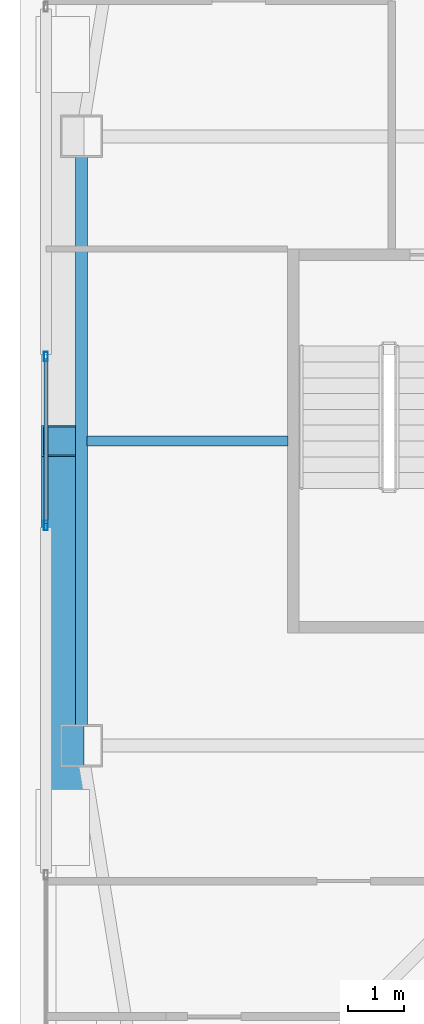
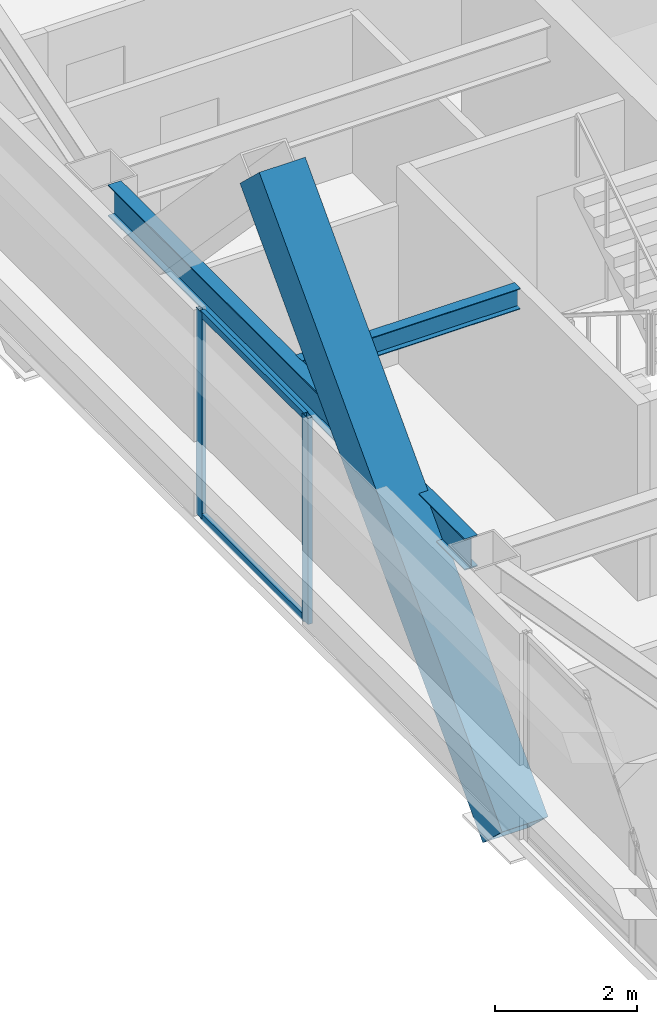
# One storey, part 8 of 39: 5 members, 2 beams, 1 element without a shape of its own.
"""IFC4 building model written with IfcOpenShell, lengths in metres."""

from ifc_helpers import new_model, si_unit, direction, frame, origin, origin_2d, place, context, subcontext, project, spatial, hollow_rectangle, i_section, extrude, material, material_profile, profile_set, type_object, element, aggregate, save


model = new_model("IFC4")

# Units and contexts
model_context = context("Model", 3, precision=1e-05, world=origin(), true_north=direction((0.0, 1.0)))
body_context = subcontext(model_context, "Body", "Model", "MODEL_VIEW")
ifc_project = project(units=[si_unit("LENGTHUNIT", "METRE"), si_unit("AREAUNIT", "SQUARE_METRE"), si_unit("VOLUMEUNIT", "CUBIC_METRE"), si_unit("PLANEANGLEUNIT", "RADIAN"), si_unit("MASSUNIT", "GRAM", prefix="KILO")], contexts=[model_context])

# Site, building, storey
site_placement = place(None, origin())
site = spatial("IfcSite", under=ifc_project, at=site_placement, CompositionType="ELEMENT")
building_placement = place(site_placement, origin())
building = spatial("IfcBuilding", under=site, at=building_placement, Name="Tashvorn Skyway Center", CompositionType="ELEMENT")
storey_placement = place(building_placement, frame((0.0, 0.0, 239.699951171875)))
storey = spatial("IfcBuildingStorey", under=building, at=storey_placement, Name="L65", CompositionType="ELEMENT", Elevation=239.699951171875)

# Beams
ifc_material_1 = material(Name="Steel ASTM A992 Grade 50", Category="steel")
ifc_material_profile_1 = material_profile(ifc_material_1, i_section(OverallWidth=0.1708984375, OverallDepth=0.35498046875, WebThickness=0.007080078125, FlangeThickness=0.01171875, at=origin_2d()), Name="W14X34")
ifc_profile_set_1 = profile_set([ifc_material_profile_1], Name="Steel ASTM A992 Grade 50")
beam_type_1 = type_object("IfcBeamType", Name="BM-JOIST-W14X34", PredefinedType="JOIST", material=ifc_profile_set_1)
beam_1_placement = place(storey_placement, frame((30.610107421875, 32.0, 3.192626953125), z_axis=(-1.0, 0.0, 0.0), x_axis=(0.0, -1.0, 0.0)))
element("IfcBeam", 1, at=beam_1_placement, inside=storey, type_object=beam_type_1, Name="Tower 1 L65 Secondary Composite Joist JW", PredefinedType="JOIST", context=body_context, shape_type="SweptSolid", body=[
    extrude(i_section(OverallWidth=0.1708984375, OverallDepth=0.35498046875, WebThickness=0.007080078125, FlangeThickness=0.01171875, at=origin_2d()), origin(), (0.0, 0.0, 1.0), 3.5625),
])
ifc_material_profile_2 = material_profile(ifc_material_1, i_section(OverallWidth=0.2109375, OverallDepth=0.5390625, WebThickness=0.01171875, FlangeThickness=0.018798828125, at=origin_2d()), Name="W21X73")
ifc_profile_set_2 = profile_set([ifc_material_profile_2], Name="Steel ASTM A992 Grade 50")
beam_type_2 = type_object("IfcBeamType", Name="BM-SPANDREL-W21X73", PredefinedType="SPANDREL", material=ifc_profile_set_2)
beam_2_placement = place(storey_placement, frame((26.949951171875, 37.030029296875, 3.1005859375), z_axis=(0.0, -1.0, 0.0), x_axis=(1.0, 0.0, 0.0)))
element("IfcBeam", 2, at=beam_2_placement, inside=storey, type_object=beam_type_2, Name="Tower 1 L65 Spandrel Beam 11", PredefinedType="SPANDREL", context=body_context, shape_type="SweptSolid", body=[
    extrude(i_section(OverallWidth=0.2109375, OverallDepth=0.5390625, WebThickness=0.01171875, FlangeThickness=0.018798828125, at=origin_2d()), origin(), (0.0, 0.0, 1.0), 10.06005859375),
])

# Curtain wall, members
ifc_material_2 = material(Name="Thermally broken bronze-anodized aluminium 6063-T6", Category="aluminium")
curtain_wall_type = type_object("IfcCurtainWallType", Name="CW-CW-Z5", PredefinedType="NOTDEFINED", material=ifc_material_2)
curtain_wall_placement = place(storey_placement, origin())
curtain_wall = element("IfcCurtainWall", 3, at=curtain_wall_placement, inside=storey, type_object=curtain_wall_type, Name="Tower 1 L65 West Unitised Curtain Wall Glazing Group 2", PredefinedType="NOTDEFINED")
ifc_material_profile_3 = material_profile(ifc_material_2, hollow_rectangle(XDim=0.070068359375, YDim=0.1650390625, WallThickness=0.00390625, at=origin_2d()), Name="ALU-MULL-70x165")
ifc_profile_set_3 = profile_set([ifc_material_profile_3], Name="Thermally broken bronze-anodized aluminium 6063-T6")
member_type_1 = type_object("IfcMemberType", Name="CWM-CW-Z5", PredefinedType="MULLION", material=ifc_profile_set_3)
member_1_placement = place(storey_placement, frame((26.320068359375, 30.50390625, 0.0), z_axis=(0.0, 0.0, 1.0), x_axis=(-1.0, 0.0, 0.0)))
member_1 = element("IfcMember", 4, at=member_1_placement, type_object=member_type_1, Name="CW-Z5 mullion 1", PredefinedType="MULLION", context=body_context, shape_type="SweptSolid", body=[
    extrude(hollow_rectangle(XDim=0.070068359375, YDim=0.1650390625, WallThickness=0.00390625, at=origin_2d()), origin(), (0.0, 0.0, 1.0), 3.550048828125),
])
member_2_placement = place(storey_placement, frame((26.320068359375, 33.49609375, 0.0), z_axis=(0.0, 0.0, 1.0), x_axis=(-1.0, 0.0, 0.0)))
member_2 = element("IfcMember", 5, at=member_2_placement, type_object=member_type_1, Name="CW-Z5 mullion 2", PredefinedType="MULLION", context=body_context, shape_type="SweptSolid", body=[
    extrude(hollow_rectangle(XDim=0.070068359375, YDim=0.1650390625, WallThickness=0.00390625, at=origin_2d()), origin(), (0.0, 0.0, 1.0), 3.550048828125),
])
ifc_material_profile_4 = material_profile(ifc_material_2, hollow_rectangle(XDim=0.070068359375, YDim=0.114990234375, WallThickness=0.00390625, at=origin_2d()), Name="ALU-TRAN-70x115")
ifc_profile_set_4 = profile_set([ifc_material_profile_4], Name="Thermally broken bronze-anodized aluminium 6063-T6")
member_type_2 = type_object("IfcMemberType", Name="CWT-CW-Z5", PredefinedType="USERDEFINED", material=ifc_profile_set_4)
member_3_placement = place(storey_placement, frame((26.320068359375, 30.538818359375, 0.03515625), z_axis=(0.0, 1.0, 0.0), x_axis=(-1.0, 0.0, 0.0)))
member_3 = element("IfcMember", 6, at=member_3_placement, type_object=member_type_2, Name="CW-Z5 transom 1.1", ObjectType="TRANSOM", PredefinedType="USERDEFINED", context=body_context, shape_type="SweptSolid", body=[
    extrude(hollow_rectangle(XDim=0.070068359375, YDim=0.114990234375, WallThickness=0.00390625, at=origin_2d()), origin(), (0.0, 0.0, 1.0), 2.92236328125),
])
member_4_placement = place(storey_placement, frame((26.320068359375, 30.538818359375, 3.51513671875), z_axis=(0.0, 1.0, 0.0), x_axis=(-1.0, 0.0, 0.0)))
member_4 = element("IfcMember", 7, at=member_4_placement, type_object=member_type_2, Name="CW-Z5 transom 1.2", ObjectType="TRANSOM", PredefinedType="USERDEFINED", context=body_context, shape_type="SweptSolid", body=[
    extrude(hollow_rectangle(XDim=0.070068359375, YDim=0.114990234375, WallThickness=0.00390625, at=origin_2d()), origin(), (0.0, 0.0, 1.0), 2.92236328125),
])
aggregate(curtain_wall, [member_1, member_2, member_3, member_4])

# Member
ifc_material_3 = material(Name="Steel ASTM A572 Grade 50", Category="steel")
ifc_material_profile_5 = material_profile(ifc_material_3, hollow_rectangle(XDim=0.75, YDim=0.75, WallThickness=0.031982421875, at=origin_2d()), Name="BOX750x750x32")
ifc_profile_set_5 = profile_set([ifc_material_profile_5], Name="Steel ASTM A572 Grade 50")
member_type_3 = type_object("IfcMemberType", Name="MEM-MB-750", PredefinedType="BRACE", material=ifc_profile_set_5)
member_5_placement = place(storey_placement, frame((26.6201171875, 25.14990234375, -0.449951171875), z_axis=(0.0, 0.689285797105, 0.724489537474), x_axis=(-1.0, 0.0, 0.0)))
element("IfcMember", 8, at=member_5_placement, inside=storey, type_object=member_type_3, Name="Tower 1 Zone 6 W Chevron Mega-Brace R2", PredefinedType="BRACE", context=body_context, shape_type="SweptSolid", body=[
    extrude(hollow_rectangle(XDim=0.75, YDim=0.75, WallThickness=0.031982421875, at=origin_2d()), origin(), (0.0, 0.0, 1.0), 9.93798828125),
])

save(model, "model.ifc")
